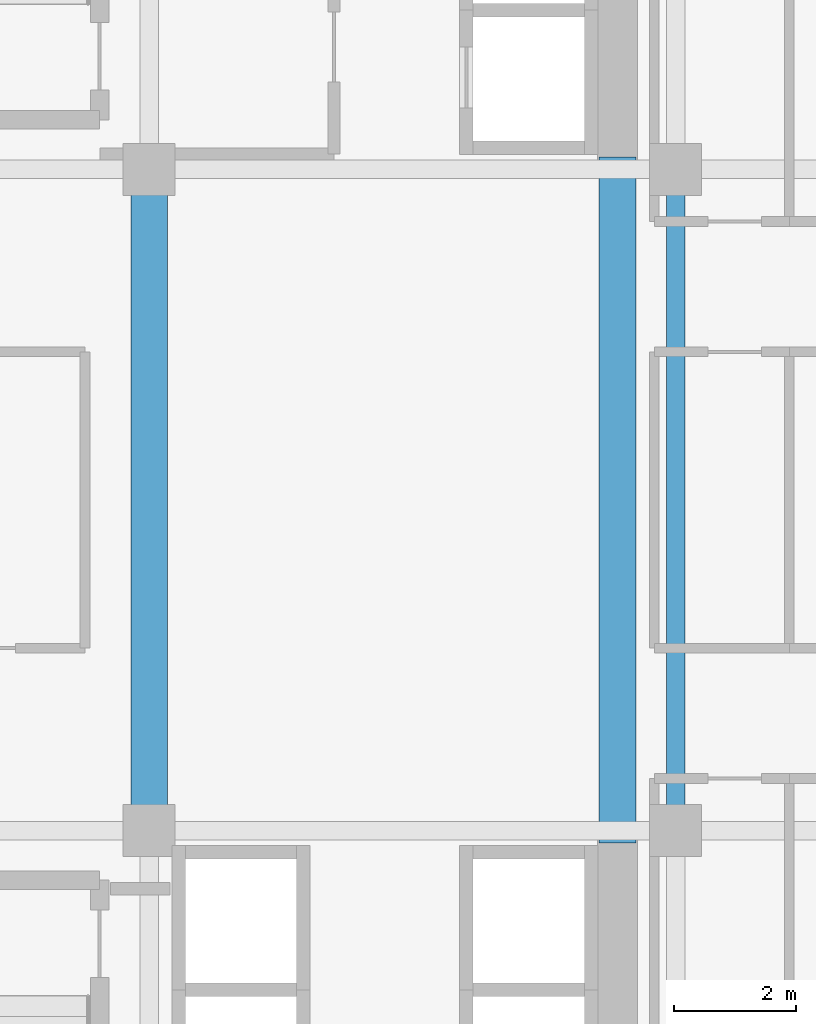
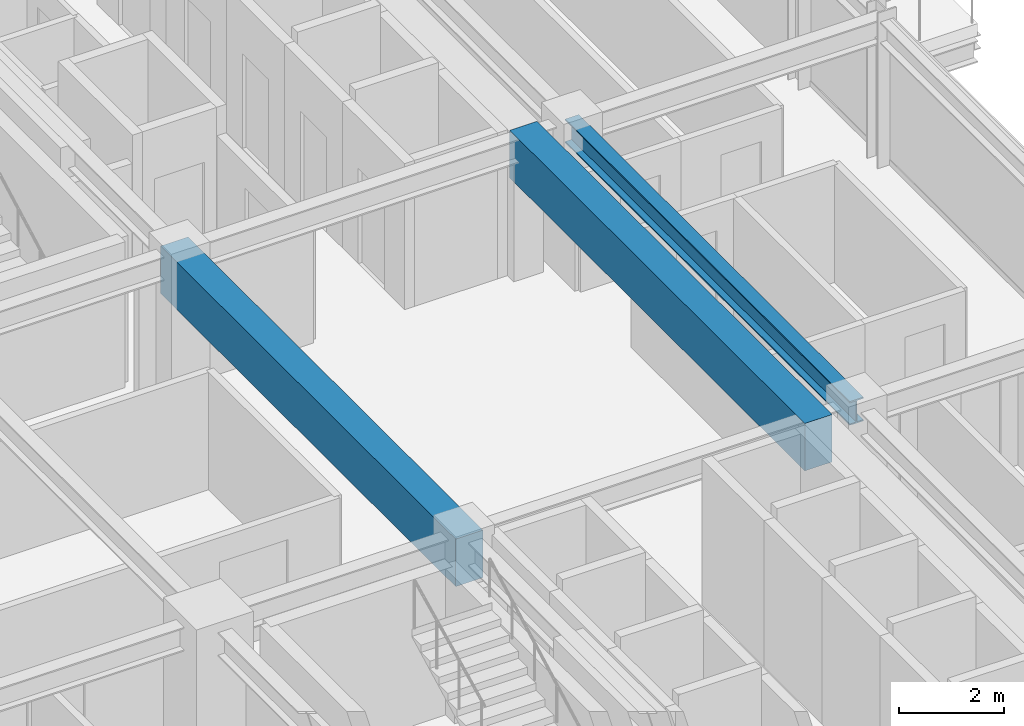
# One storey, part 15 of 33: 3 beams.
"""IFC4 building model written with IfcOpenShell, lengths in metres."""

from ifc_helpers import new_model, si_unit, direction, frame, origin, origin_2d, place, context, subcontext, project, spatial, rectangle, i_section, extrude, source, transform, mapped, material, material_profile, profile_set, type_object, element, save


model = new_model("IFC4")

# Units and contexts
model_context = context("Model", 3, precision=1e-05, world=origin(), true_north=direction((0.0, 1.0)))
body_context = subcontext(model_context, "Body", "Model", "MODEL_VIEW")
ifc_project = project(units=[si_unit("LENGTHUNIT", "METRE"), si_unit("AREAUNIT", "SQUARE_METRE"), si_unit("VOLUMEUNIT", "CUBIC_METRE"), si_unit("PLANEANGLEUNIT", "RADIAN"), si_unit("MASSUNIT", "GRAM", prefix="KILO")], contexts=[model_context])

# Site, building, storey
site_placement = place(None, origin())
site = spatial("IfcSite", under=ifc_project, at=site_placement, CompositionType="ELEMENT")
building_placement = place(site_placement, origin())
building = spatial("IfcBuilding", under=site, at=building_placement, Name="Nahalor Promenade Grand Hotel", CompositionType="ELEMENT")
storey_placement = place(building_placement, frame((0.0, 0.0, 117.5)))
storey = spatial("IfcBuildingStorey", under=building, at=storey_placement, Name="L29", CompositionType="ELEMENT", Elevation=117.5)

# Beams
ifc_material_1 = material(Name="Concrete B-60 (C50/60)", Category="concrete")
ifc_material_profile_1 = material_profile(ifc_material_1, rectangle(XDim=0.6, YDim=1.1, at=origin_2d()), Name="RC 600x1100")
ifc_profile_set_1 = profile_set([ifc_material_profile_1], Name="Concrete B-60 (C50/60)")
beam_type_1 = type_object("IfcBeamType", Name="Beam-Lintel-RC1100", PredefinedType="LINTEL", material=ifc_profile_set_1)
shared_shape_1 = source(origin(), body_context, "Body", "SweptSolid", [
    extrude(rectangle(XDim=0.6, YDim=1.1, at=origin_2d()), origin(), (0.0, 0.0, 1.0), 11.2001953125),
])
for number, where, z_axis, x_axis, name in (
    (1, (8.39990234375, -5.60009765625, 2.830078125), (0.0, 1.0, 0.0), (-1.0, 0.0, 0.0), "BM-L29-LINT-W"),
    (2, (16.050048828125, -5.60009765625, 2.830078125), (0.0, 1.0, 0.0), (-1.0, 0.0, 0.0), "BM-L29-LINT-E"),
):
    element("IfcBeam", number, at=place(storey_placement, frame(where, z_axis=z_axis, x_axis=x_axis)), inside=storey, type_object=beam_type_1, Name=name, PredefinedType="LINTEL", context=body_context, shape_type="MappedRepresentation", body=[
        mapped(shared_shape_1, transform((0.0, 0.0, 0.0), scale=1.0)),
    ])
ifc_material_2 = material(Name="Steel S355JR", Category="steel")
ifc_material_profile_2 = material_profile(ifc_material_2, i_section(OverallWidth=0.3, OverallDepth=0.55, WebThickness=0.015, FlangeThickness=0.029, at=origin_2d()), Name="HEB 550")
ifc_profile_set_2 = profile_set([ifc_material_profile_2], Name="Steel S355JR")
beam_type_2 = type_object("IfcBeamType", Name="Beam-Girder-HEB550", PredefinedType="BEAM", material=ifc_profile_set_2)
shared_shape_2 = source(origin(), body_context, "Body", "SweptSolid", [
    extrude(i_section(OverallWidth=0.3, OverallDepth=0.55, WebThickness=0.015, FlangeThickness=0.029, at=origin_2d()), origin(), (0.0, 0.0, 1.0), 10.7998046875),
])
beam_placement = place(storey_placement, frame((17.0, -5.39990234375, 3.10498046875), z_axis=(0.0, 1.0, 0.0), x_axis=(-1.0, 0.0, 0.0)))
element("IfcBeam", 3, at=beam_placement, inside=storey, type_object=beam_type_2, Name="BM-L29-GY-5-2", PredefinedType="BEAM", context=body_context, shape_type="MappedRepresentation", body=[
    mapped(shared_shape_2, transform((0.0, 0.0, 0.0), scale=1.0)),
])

save(model, "model.ifc")
